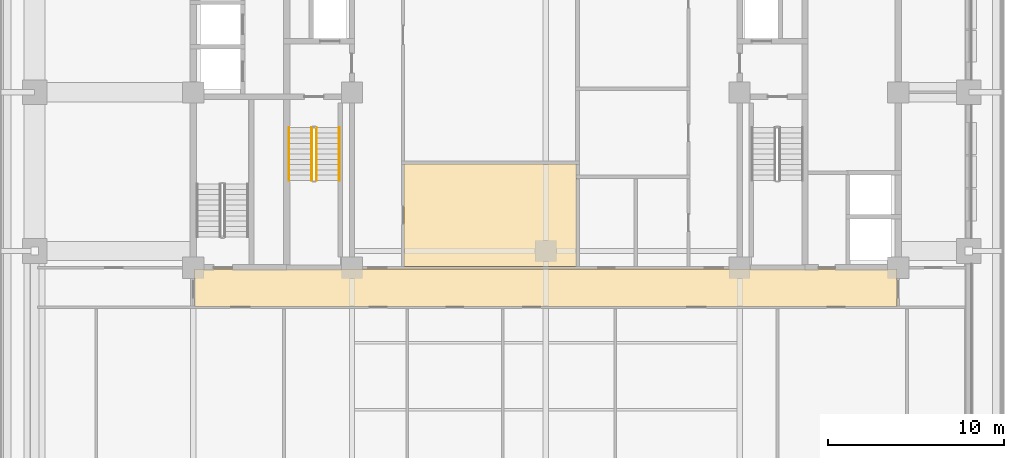
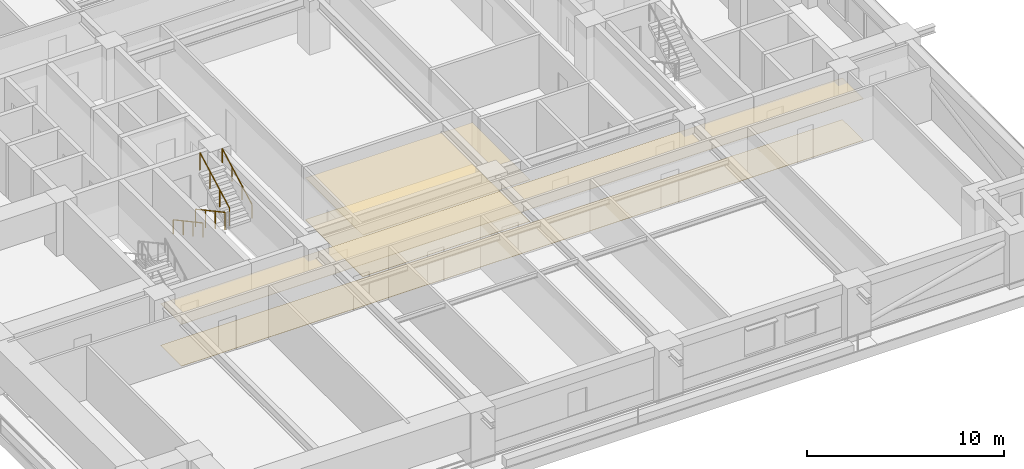
# One storey, part 11 of 14: 4 coverings, 4 railings.
"""IFC4 building model written with IfcOpenShell, lengths in metres."""

from ifc_helpers import new_model, si_unit, direction, frame, origin, origin_2d, place, context, subcontext, project, spatial, polyline, rectangle, outline, extrude, material, layer, layer_set, type_object, element, save


model = new_model("IFC4")

# Units and contexts
model_context = context("Model", 3, precision=1e-05, world=origin(), true_north=direction((0.0, 1.0)))
body_context = subcontext(model_context, "Body", "Model", "MODEL_VIEW")
ifc_project = project(units=[si_unit("LENGTHUNIT", "METRE"), si_unit("AREAUNIT", "SQUARE_METRE"), si_unit("VOLUMEUNIT", "CUBIC_METRE"), si_unit("PLANEANGLEUNIT", "RADIAN"), si_unit("MASSUNIT", "GRAM", prefix="KILO")], contexts=[model_context])

# Site, building, storey
site_placement = place(None, origin())
site = spatial("IfcSite", under=ifc_project, at=site_placement, CompositionType="ELEMENT")
building_placement = place(site_placement, origin())
building = spatial("IfcBuilding", under=site, at=building_placement, Name="Zulmaris Gate Convention Tower", CompositionType="ELEMENT")
storey_placement = place(building_placement, frame((0.0, 0.0, 60.760009765625)))
storey = spatial("IfcBuildingStorey", under=building, at=storey_placement, Name="L14", CompositionType="ELEMENT", Elevation=60.760009765625)

# Coverings
ifc_material_1 = material(Name="Mineral Fibre Acoustic Ceiling Tile")
ifc_layer_1 = layer(ifc_material_1, 0.02001953125, Name="Mineral Fibre Acoustic Ceiling Tile")
ifc_layer_set_1 = layer_set([ifc_layer_1], Name="Mineral Fibre Acoustic Ceiling Tile")
covering_type_1 = type_object("IfcCoveringType", Name="CLG-ACOUSTIC-600", PredefinedType="CEILING", material=ifc_layer_set_1)
covering_1_placement = place(storey_placement, frame((0.0, 0.0, 2.577880859375)))
element("IfcCovering", 1, at=covering_1_placement, inside=storey, type_object=covering_type_1, Name="CLG-L14-R27", PredefinedType="CEILING", context=body_context, shape_type="SweptSolid", body=[
    extrude(outline(polyline([(-19.93994140625, -12.139892578125), (19.93994140625, -12.139892578125), (19.93994140625, -10.010009765625), (-19.93994140625, -10.010009765625), (-19.93994140625, -12.139892578125)])), origin(), (0.0, 0.0, 1.0), 0.02001953125),
])
covering_2_placement = place(storey_placement, frame((0.0, 0.0, 2.577880859375)))
element("IfcCovering", 2, at=covering_2_placement, inside=storey, type_object=covering_type_1, Name="CLG-L14-R42", PredefinedType="CEILING", context=body_context, shape_type="SweptSolid", body=[
    extrude(outline(polyline([(-8.0400390625, -9.889892578125), (1.739990234375, -9.889892578125), (1.739990234375, -4.06005859375), (-8.0400390625, -4.06005859375), (-8.0400390625, -9.889892578125)])), origin(), (0.0, 0.0, 1.0), 0.02001953125),
])
ifc_material_2 = material(Name="Woven Acoustic Wool Carpet Tile")
ifc_layer_2 = layer(ifc_material_2, 0.02001953125, Name="Woven Acoustic Wool Carpet Tile")
ifc_layer_set_2 = layer_set([ifc_layer_2], Name="Woven Acoustic Wool Carpet Tile")
covering_type_2 = type_object("IfcCoveringType", Name="FLR-CARPET-12", PredefinedType="FLOORING", material=ifc_layer_set_2)
covering_3_placement = place(storey_placement, origin())
element("IfcCovering", 3, at=covering_3_placement, inside=storey, type_object=covering_type_2, Name="FLR-L14-R27", PredefinedType="FLOORING", context=body_context, shape_type="SweptSolid", body=[
    extrude(outline(polyline([(-19.93994140625, -12.139892578125), (19.93994140625, -12.139892578125), (19.93994140625, -10.010009765625), (-19.93994140625, -10.010009765625), (-19.93994140625, -12.139892578125)])), origin(), (0.0, 0.0, 1.0), 0.02001953125),
])
covering_4_placement = place(storey_placement, origin())
element("IfcCovering", 4, at=covering_4_placement, inside=storey, type_object=covering_type_2, Name="FLR-L14-R42", PredefinedType="FLOORING", context=body_context, shape_type="SweptSolid", body=[
    extrude(outline(polyline([(-8.0400390625, -9.889892578125), (1.739990234375, -9.889892578125), (1.739990234375, -4.06005859375), (-8.0400390625, -4.06005859375), (-8.0400390625, -9.889892578125)])), origin(), (0.0, 0.0, 1.0), 0.02001953125),
])

# Railings
ifc_material_3 = material(Name="Painted Galvanised Steel", Category="steel")
railing_type_1 = type_object("IfcRailingType", Name="RL-STG-1150", PredefinedType="GUARDRAIL", material=ifc_material_3)
railing_1_placement = place(storey_placement, frame((-13.27001953125, -2.0, 0.162353515625)))
element("IfcRailing", 5, at=railing_1_placement, inside=storey, type_object=railing_type_1, Name="L14 ST-1 stair guard 1", PredefinedType="GUARDRAIL", context=body_context, shape_type="SweptSolid", body=[
    extrude(rectangle(XDim=0.048095703125, YDim=0.048095703125, at=origin_2d()), frame((0.0, 0.0, 1.076171875), z_axis=(0.0, -0.879591569277, 0.475729619907), x_axis=(1.0, 0.0, 0.0)), (0.0, 0.0, 1.0), 3.41064453125),
    extrude(rectangle(XDim=0.0419921875, YDim=0.0419921875, at=origin_2d()), origin(), (0.0, 0.0, 1.0), 1.052001953125),
    extrude(rectangle(XDim=0.0419921875, YDim=0.0419921875, at=origin_2d()), frame((0.0, -1.0, 0.540771484375)), (0.0, 0.0, 1.0), 1.052001953125),
    extrude(rectangle(XDim=0.0419921875, YDim=0.0419921875, at=origin_2d()), frame((0.0, -2.0, 1.081787109375)), (0.0, 0.0, 1.0), 1.052001953125),
    extrude(rectangle(XDim=0.0419921875, YDim=0.0419921875, at=origin_2d()), frame((0.0, -3.0, 1.62255859375)), (0.0, 0.0, 1.0), 1.052001953125),
])
railing_2_placement = place(storey_placement, frame((-13.010009765625, -5.0, 1.947265625)))
element("IfcRailing", 6, at=railing_2_placement, inside=storey, type_object=railing_type_1, Name="L14 ST-1 stair guard 3", PredefinedType="GUARDRAIL", context=body_context, shape_type="SweptSolid", body=[
    extrude(rectangle(XDim=0.048095703125, YDim=0.048095703125, at=origin_2d()), frame((0.0, 0.0, 1.076171875), z_axis=(0.0, 0.879591569277, 0.475729619907), x_axis=(-1.0, 0.0, 0.0)), (0.0, 0.0, 1.0), 3.41064453125),
    extrude(rectangle(XDim=0.0419921875, YDim=0.0419921875, at=origin_2d()), origin(), (0.0, 0.0, 1.0), 1.052001953125),
    extrude(rectangle(XDim=0.0419921875, YDim=0.0419921875, at=origin_2d()), frame((0.0, 1.0, 0.540771484375)), (0.0, 0.0, 1.0), 1.052001953125),
    extrude(rectangle(XDim=0.0419921875, YDim=0.0419921875, at=origin_2d()), frame((0.0, 2.0, 1.081787109375)), (0.0, 0.0, 1.0), 1.052001953125),
    extrude(rectangle(XDim=0.0419921875, YDim=0.0419921875, at=origin_2d()), frame((0.0, 3.0, 1.62255859375)), (0.0, 0.0, 1.0), 1.052001953125),
])
ifc_material_4 = material(Name="Brushed Stainless Steel", Category="steel")
railing_type_2 = type_object("IfcRailingType", Name="RL-STH-900", PredefinedType="HANDRAIL", material=ifc_material_4)
railing_3_placement = place(storey_placement, frame((-14.570068359375, -2.0, 0.162353515625)))
element("IfcRailing", 7, at=railing_3_placement, inside=storey, type_object=railing_type_2, Name="L14 ST-1 stair handrail 1", PredefinedType="HANDRAIL", context=body_context, shape_type="SweptSolid", body=[
    extrude(rectangle(XDim=0.048095703125, YDim=0.048095703125, at=origin_2d()), frame((0.0, 0.0, 0.8759765625), z_axis=(0.0, -0.879591569277, 0.475729619907), x_axis=(1.0, 0.0, 0.0)), (0.0, 0.0, 1.0), 3.41064453125),
    extrude(rectangle(XDim=0.0419921875, YDim=0.0419921875, at=origin_2d()), origin(), (0.0, 0.0, 1.0), 0.851806640625),
    extrude(rectangle(XDim=0.0419921875, YDim=0.0419921875, at=origin_2d()), frame((0.0, -1.0, 0.540771484375)), (0.0, 0.0, 1.0), 0.851806640625),
    extrude(rectangle(XDim=0.0419921875, YDim=0.0419921875, at=origin_2d()), frame((0.0, -2.0, 1.081787109375)), (0.0, 0.0, 1.0), 0.851806640625),
    extrude(rectangle(XDim=0.0419921875, YDim=0.0419921875, at=origin_2d()), frame((0.0, -3.0, 1.62255859375)), (0.0, 0.0, 1.0), 0.851806640625),
])
railing_4_placement = place(storey_placement, frame((-11.7099609375, -5.0, 1.947265625)))
element("IfcRailing", 8, at=railing_4_placement, inside=storey, type_object=railing_type_2, Name="L14 ST-1 stair handrail 2", PredefinedType="HANDRAIL", context=body_context, shape_type="SweptSolid", body=[
    extrude(rectangle(XDim=0.048095703125, YDim=0.048095703125, at=origin_2d()), frame((0.0, 0.0, 0.8759765625), z_axis=(0.0, 0.879591569277, 0.475729619907), x_axis=(-1.0, 0.0, 0.0)), (0.0, 0.0, 1.0), 3.41064453125),
    extrude(rectangle(XDim=0.0419921875, YDim=0.0419921875, at=origin_2d()), origin(), (0.0, 0.0, 1.0), 0.851806640625),
    extrude(rectangle(XDim=0.0419921875, YDim=0.0419921875, at=origin_2d()), frame((0.0, 1.0, 0.540771484375)), (0.0, 0.0, 1.0), 0.851806640625),
    extrude(rectangle(XDim=0.0419921875, YDim=0.0419921875, at=origin_2d()), frame((0.0, 2.0, 1.081787109375)), (0.0, 0.0, 1.0), 0.851806640625),
    extrude(rectangle(XDim=0.0419921875, YDim=0.0419921875, at=origin_2d()), frame((0.0, 3.0, 1.62255859375)), (0.0, 0.0, 1.0), 0.851806640625),
])

save(model, "model.ifc")
